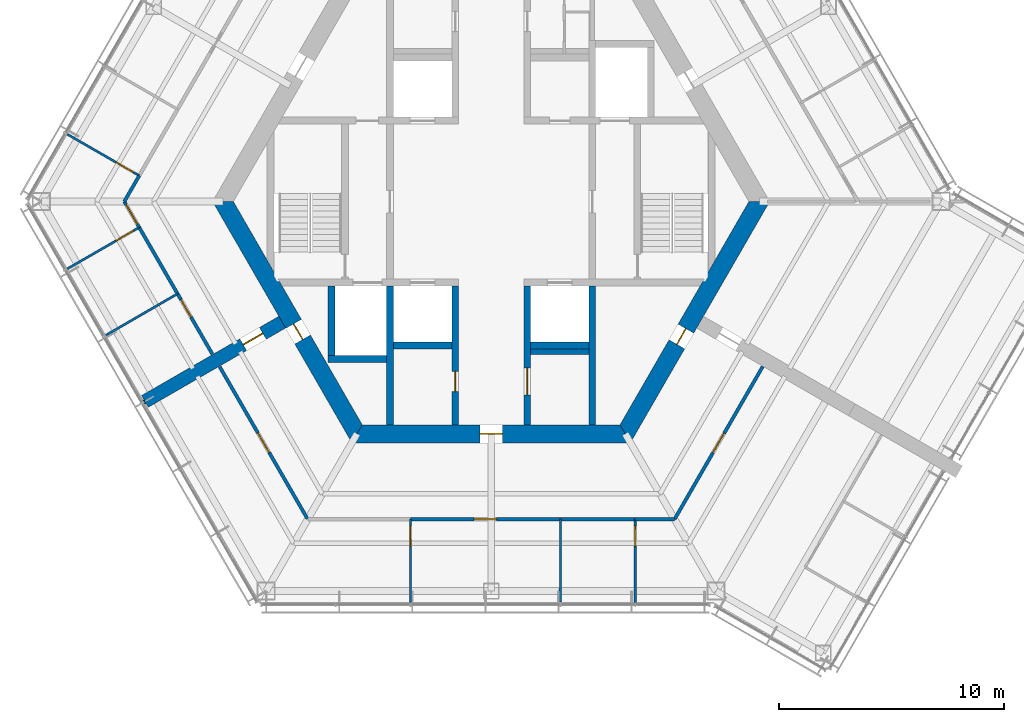
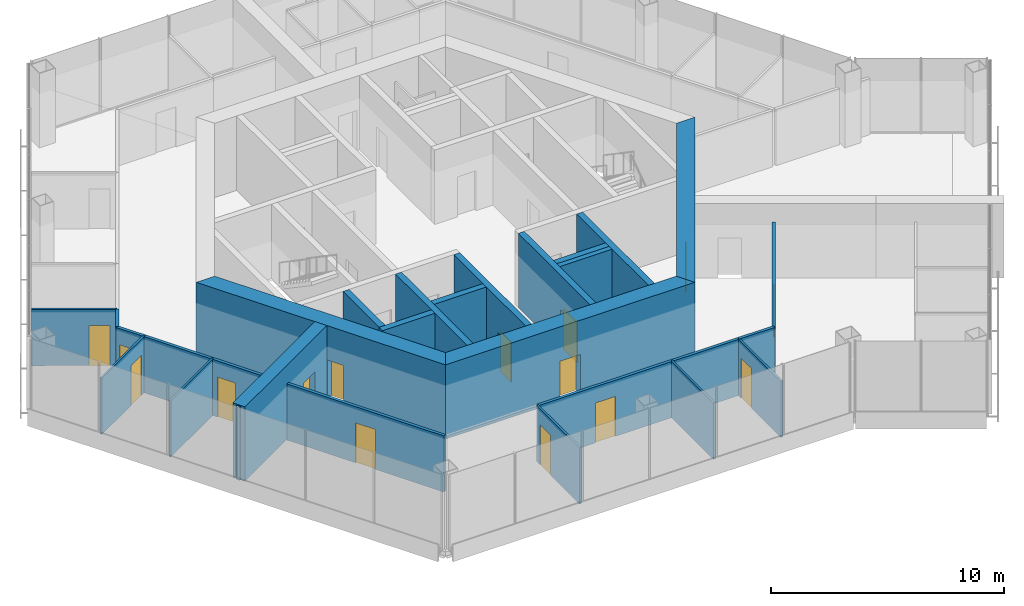
# One storey, part 7 of 13: 29 walls, 15 doors, 15 openings.
"""IFC4 building model written with IfcOpenShell, lengths in metres."""

import ifcopenshell
import ifcopenshell.guid

model = None  # the IFC model being written
_history = None  # IfcOwnerHistory: only IFC2X3 demands one
_inside = {}  # id of a spatial element -> (the spatial element, [elements in it])
_under = {}  # id of a project, library or spatial element -> (it, [spatial elements below it])
_declared = {}  # id of a project -> (the project, [libraries it declares])
_typed = {}  # id of a type object -> (the type object, [elements of that type])
_made_of = {}  # id of a material, layer set ... -> (it, [elements and type objects made of it])


def new_model(schema):
    """Start an empty IFC model of exactly this schema.

    Asked for "IFC4X3", IfcOpenShell would pick the latest addendum, in which some entities
    have other attributes; the version numbers below select the first issue.
    IFC2X3 requires an IfcOwnerHistory on every rooted entity: one is made here for all.
    """
    global model, _history
    if schema == "IFC4X3":
        model = ifcopenshell.file(schema_version=(4, 3, 0, 0))
    else:
        model = ifcopenshell.file(schema=schema)
    _inside.clear()
    _under.clear()
    _declared.clear()
    _typed.clear()
    _made_of.clear()
    _history = None
    if model.schema == "IFC2X3":
        org = make("IfcOrganization", Name="unknown")
        user = make(
            "IfcPersonAndOrganization",
            ThePerson=make("IfcPerson", FamilyName="unknown"),
            TheOrganization=org,
        )
        app = make(
            "IfcApplication",
            ApplicationDeveloper=org,
            Version="unknown",
            ApplicationFullName="unknown",
            ApplicationIdentifier="unknown",
        )
        _history = make(
            "IfcOwnerHistory",
            OwningUser=user,
            OwningApplication=app,
            ChangeAction="ADDED",
            CreationDate=0,
        )
    return model


def make(cls, **values):
    """One entity of the class cls with the attributes given. An attribute that is None is left unset."""
    return model.create_entity(
        cls, **{name: value for name, value in values.items() if value is not None}
    )


def rooted(cls, **values):
    """An entity with a GlobalId (a new one), such as an element, a storey or a relation."""
    return make(cls, GlobalId=ifcopenshell.guid.new(), OwnerHistory=_history, **values)


def si_unit(unit_type, name, prefix=None):
    """IfcSIUnit, for example si_unit("LENGTHUNIT", "METRE", prefix="MILLI")."""
    return make("IfcSIUnit", UnitType=unit_type, Prefix=prefix, Name=name)


def assignment(units):
    """IfcUnitAssignment: the units of a project."""
    return None if units is None else make("IfcUnitAssignment", Units=units)


def point(xyz):
    """IfcCartesianPoint."""
    return None if xyz is None else make("IfcCartesianPoint", Coordinates=xyz)


def direction(xyz):
    """IfcDirection."""
    return None if xyz is None else make("IfcDirection", DirectionRatios=xyz)


def frame(location, z_axis=None, x_axis=None):
    """IfcAxis2Placement3D, a coordinate frame: its origin and axes. An axis left out is left unset."""
    return make(
        "IfcAxis2Placement3D",
        Location=point(location),
        Axis=direction(z_axis),
        RefDirection=direction(x_axis),
    )


def frame_2d(location, x_axis=None):
    """IfcAxis2Placement2D, a coordinate frame in the plane: its origin and x axis."""
    return make(
        "IfcAxis2Placement2D", Location=point(location), RefDirection=direction(x_axis)
    )


def origin():
    """The frame at (0, 0, 0) with its axes left unset."""
    return frame((0.0, 0.0, 0.0))


def place(relative_to, where):
    """IfcLocalPlacement: puts the frame where relative to a parent placement (None: the world)."""
    return make(
        "IfcLocalPlacement", PlacementRelTo=relative_to, RelativePlacement=where
    )


def context(
    kind, dimensions, precision=None, world=None, true_north=None, identifier=None
):
    """IfcGeometricRepresentationContext, for example the 3D "Model" context."""
    return make(
        "IfcGeometricRepresentationContext",
        ContextIdentifier=identifier,
        ContextType=kind,
        CoordinateSpaceDimension=dimensions,
        Precision=precision,
        WorldCoordinateSystem=world,
        TrueNorth=true_north,
    )


def subcontext(parent, identifier, kind, view, scale=None):
    """IfcGeometricRepresentationSubContext, for example "Body" below "Model"."""
    return make(
        "IfcGeometricRepresentationSubContext",
        ContextIdentifier=identifier,
        ContextType=kind,
        ParentContext=parent,
        TargetScale=scale,
        TargetView=view,
    )


def project(units=None, contexts=None):
    """IfcProject with its units and contexts."""
    return rooted(
        "IfcProject",
        Name="project",
        RepresentationContexts=contexts,
        UnitsInContext=assignment(units),
    )


def spatial(cls, under=None, at=None, **own):
    """A site, building, storey or space (cls), placed at a placement, below another one or the project."""
    s = rooted(cls, ObjectPlacement=at, **own)
    if under is not None:
        _under.setdefault(under.id(), (under, []))[1].append(s)
    return s


def polyline(points):
    """IfcPolyline through the points."""
    return make("IfcPolyline", Points=[point(p) for p in points])


def profile(cls, at=None, kind="AREA", **sizes):
    """A parametric profile (cls). Its sizes go by their IFC names, for example OverallWidth=200.0."""
    return make(cls, ProfileType=kind, Position=at, **sizes)


def rectangle(**sizes):
    """IfcRectangleProfileDef."""
    return profile("IfcRectangleProfileDef", **sizes)


def outline(outer, holes=None, kind="AREA"):
    """IfcArbitraryClosedProfileDef: a profile drawn as a closed curve; with holes, ...WithVoids."""
    if holes is None:
        return make("IfcArbitraryClosedProfileDef", ProfileType=kind, OuterCurve=outer)
    return make(
        "IfcArbitraryProfileDefWithVoids",
        ProfileType=kind,
        OuterCurve=outer,
        InnerCurves=holes,
    )


def extrude(swept, where, along, depth):
    """IfcExtrudedAreaSolid: the profile swept, set in the frame where, extruded along a direction by depth."""
    return make(
        "IfcExtrudedAreaSolid",
        SweptArea=swept,
        Position=where,
        ExtrudedDirection=direction(along),
        Depth=depth,
    )


def shape(context_of_items, identifier, shape_type, items):
    """IfcShapeRepresentation: the items that make up one representation, for example the "Body"."""
    return make(
        "IfcShapeRepresentation",
        ContextOfItems=context_of_items,
        RepresentationIdentifier=identifier,
        RepresentationType=shape_type,
        Items=items,
    )


def material(Name=None, Category=None):
    """IfcMaterial."""
    return make("IfcMaterial", Name=Name, Category=Category)


def layer(
    of_material, thickness, ventilated=None, Name=None, Category=None, Priority=None
):
    """IfcMaterialLayer: one layer of a wall or slab, of a material (None: an air gap)."""
    return make(
        "IfcMaterialLayer",
        Material=of_material,
        LayerThickness=thickness,
        IsVentilated=ventilated,
        Name=Name,
        Category=Category,
        Priority=Priority,
    )


def layer_set(layers, Name=None):
    """IfcMaterialLayerSet."""
    return make("IfcMaterialLayerSet", MaterialLayers=layers, LayerSetName=Name)


def made_of(thing, what):
    """Note that an element or type object is made of a material, layer set ...; save() writes the relation."""
    if what is not None:
        _made_of.setdefault(what.id(), (what, []))[1].append(thing)
    return thing


def type_object(cls, material=None, **own):
    """A type object (cls), such as IfcWallType, which elements share."""
    return made_of(rooted(cls, **own), material)


def element(
    cls,
    number,
    at=None,
    inside=None,
    cuts=None,
    type_object=None,
    material=None,
    context=None,
    identifier="Body",
    shape_type=None,
    held_by="IfcProductDefinitionShape",
    body=None,
    shapes=None,
    **own,
):
    """One element of the class cls, such as IfcWall. Its Tag is "e" and its number.

    at: its placement. inside: the storey or other place that contains it. cuts: it is an
    opening in that element (IfcRelVoidsElement). A single representation is given by context,
    identifier, shape_type and body (its items); several are given by shapes. held_by: the class
    of the entity that holds the representations. save() writes the other relations.
    """
    e = rooted(cls, Tag="e%d" % number, ObjectPlacement=at, **own)
    if body is not None:
        shapes = [shape(context, identifier, shape_type, body)]
    if shapes is not None:
        e.Representation = make(held_by, Representations=shapes)
    if inside is not None:
        _inside.setdefault(inside.id(), (inside, []))[1].append(e)
    if cuts is not None:
        rooted(
            "IfcRelVoidsElement", RelatingBuildingElement=cuts, RelatedOpeningElement=e
        )
    if type_object is not None:
        _typed.setdefault(type_object.id(), (type_object, []))[1].append(e)
    return made_of(e, material)


def fill(opening, filler):
    """IfcRelFillsElement: the door or window that sits in an opening."""
    return rooted(
        "IfcRelFillsElement",
        RelatingOpeningElement=opening,
        RelatedBuildingElement=filler,
    )


def aggregate(whole, parts):
    """IfcRelAggregates: a whole, such as a stair, and the parts it consists of."""
    return rooted("IfcRelAggregates", RelatingObject=whole, RelatedObjects=parts)


def save(model, path):
    """Write the relations noted so far, then the file.

    IfcRelAggregates (storeys below a building ...), IfcRelContainedInSpatialStructure (elements
    in a storey), IfcRelDefinesByType, IfcRelAssociatesMaterial and IfcRelDeclares: one each for
    every whole, place, type object, material and project.
    """
    for whole, parts in _under.values():
        aggregate(whole, parts)
    for where, things in _inside.values():
        rooted(
            "IfcRelContainedInSpatialStructure",
            RelatedElements=things,
            RelatingStructure=where,
        )
    for kind, things in _typed.values():
        rooted("IfcRelDefinesByType", RelatedObjects=things, RelatingType=kind)
    for what, things in _made_of.values():
        rooted("IfcRelAssociatesMaterial", RelatedObjects=things, RelatingMaterial=what)
    for by, libraries in _declared.values():
        rooted("IfcRelDeclares", RelatingContext=by, RelatedDefinitions=libraries)
    model.write(path)


model = new_model("IFC4")

# Units and contexts
model_context = context("Model", 3, precision=1e-05, world=origin(), true_north=direction((0.0, 1.0)))
body_context = subcontext(model_context, "Body", "Model", "MODEL_VIEW")
ifc_project = project(units=[si_unit("LENGTHUNIT", "METRE"), si_unit("AREAUNIT", "SQUARE_METRE"), si_unit("VOLUMEUNIT", "CUBIC_METRE"), si_unit("PLANEANGLEUNIT", "RADIAN"), si_unit("MASSUNIT", "GRAM", prefix="KILO")], contexts=[model_context])

# Site, building, storey
site_placement = place(None, origin())
site = spatial("IfcSite", under=ifc_project, at=site_placement, CompositionType="ELEMENT")
building_placement = place(site_placement, origin())
building = spatial("IfcBuilding", under=site, at=building_placement, Name="Kasaneha Research Tower", CompositionType="ELEMENT")
storey_placement = place(building_placement, frame((0.0, 0.0, 290.800048828125)))
storey = spatial("IfcBuildingStorey", under=building, at=storey_placement, Name="L73", CompositionType="ELEMENT", Elevation=290.800048828125)

# Wall, opening, door
ifc_material_1 = material(Name="Concrete Fc60", Category="concrete")
ifc_layer_1 = layer(ifc_material_1, 0.300048828125)
ifc_layer_set_1 = layer_set([ifc_layer_1], Name="Core internal wall 300 Fc60")
wall_type_1 = type_object("IfcWallType", Name="Core internal wall 300 Fc60", PredefinedType="SHEAR", material=ifc_layer_set_1)
wall_1_placement = place(storey_placement, frame((-1.60009765625, -3.75, 0.0), z_axis=(0.0, 0.0, 1.0), x_axis=(0.0, -1.0, 0.0)))
wall_1 = element("IfcWall", 1, at=wall_1_placement, inside=storey, type_object=wall_type_1, Name="Core wall CSW L73", PredefinedType="SHEAR", context=body_context, shape_type="SweptSolid", body=[
    extrude(rectangle(XDim=6.175048828125, YDim=0.300048828125, at=frame_2d((3.08740234375, 0.0))), origin(), (0.0, 0.0, 1.0), 3.89990234375),
])
opening_1_placement = place(wall_1_placement, frame((3.800048828125, 0.0, 0.0)))
opening_1 = element("IfcOpeningElement", 2, at=opening_1_placement, cuts=wall_1, Name="Opening L73-D16", PredefinedType="OPENING", context=body_context, shape_type="SweptSolid", body=[
    extrude(rectangle(XDim=0.89990234375, YDim=2.10009765625, at=frame_2d((0.449951171875, 1.050048828125))), frame((0.0, 0.16015625, 0.0), z_axis=(0.0, -1.0, 0.0), x_axis=(1.0, 0.0, 0.0)), (0.0, 0.0, 1.0), 0.320068359375),
])
ifc_material_2 = material(Name="Steel", Category="steel")
door_type_1 = type_object("IfcDoorType", Name="Riser access door FD60 900x2100", OperationType="NOTDEFINED", PredefinedType="DOOR", material=ifc_material_2)
door_1_placement = place(opening_1_placement, origin())
door_1 = element("IfcDoor", 3, at=door_1_placement, inside=storey, type_object=door_type_1, Name="Electrical riser door L73-D16", OperationType="SINGLE_SWING_LEFT", OverallHeight=2.10009765625, OverallWidth=0.89990234375, PredefinedType="DOOR", context=body_context, shape_type="SweptSolid", body=[
    extrude(rectangle(XDim=0.89990234375, YDim=2.10009765625, at=frame_2d((0.449951171875, 1.050048828125))), frame((0.0, 0.02490234375, 0.0), z_axis=(0.0, -1.0, 0.0), x_axis=(1.0, 0.0, 0.0)), (0.0, 0.0, 1.0), 0.050048828125),
])
fill(opening_1, door_1)

wall_2_placement = place(storey_placement, frame((1.60009765625, -3.75, 0.0), z_axis=(0.0, 0.0, 1.0), x_axis=(0.0, -1.0, 0.0)))
wall_2 = element("IfcWall", 4, at=wall_2_placement, inside=storey, type_object=wall_type_1, Name="Core wall CSE L73", PredefinedType="SHEAR", context=body_context, shape_type="SweptSolid", body=[
    extrude(rectangle(XDim=6.175048828125, YDim=0.300048828125, at=frame_2d((3.08740234375, 0.0))), origin(), (0.0, 0.0, 1.0), 3.89990234375),
])
opening_2_placement = place(wall_2_placement, frame((3.64990234375, 0.0, 0.0)))
opening_2 = element("IfcOpeningElement", 5, at=opening_2_placement, cuts=wall_2, Name="Opening L73-D15", PredefinedType="OPENING", context=body_context, shape_type="SweptSolid", body=[
    extrude(rectangle(XDim=1.199951171875, YDim=2.10009765625, at=frame_2d((0.60009765625, 1.050048828125))), frame((0.0, 0.16015625, 0.0), z_axis=(0.0, -1.0, 0.0), x_axis=(1.0, 0.0, 0.0)), (0.0, 0.0, 1.0), 0.320068359375),
])
ifc_material_3 = material(Name="Steel", Category="steel")
door_type_2 = type_object("IfcDoorType", Name="Accessible toilet sliding door FD20 1200x2100", OperationType="SLIDING_TO_LEFT", PredefinedType="DOOR", material=ifc_material_3)
door_2_placement = place(opening_2_placement, origin())
door_2 = element("IfcDoor", 6, at=door_2_placement, inside=storey, type_object=door_type_2, Name="Accessible WC door L73-D15", OperationType="SLIDING_TO_LEFT", OverallHeight=2.10009765625, OverallWidth=1.199951171875, PredefinedType="DOOR", context=body_context, shape_type="SweptSolid", body=[
    extrude(rectangle(XDim=1.199951171875, YDim=2.10009765625, at=frame_2d((0.60009765625, 1.050048828125))), frame((0.0, 0.02490234375, 0.0), z_axis=(0.0, -1.0, 0.0), x_axis=(1.0, 0.0, 0.0)), (0.0, 0.0, 1.0), 0.050048828125),
])
fill(opening_2, door_2)

# Walls
for number, where, z_axis, x_axis, name in (
    (7, (-4.5, -3.75, 0.0), (0.0, 0.0, 1.0), (0.0, -1.0, 0.0), "Core wall SSW L73"),
    (8, (4.5, -3.75, 0.0), (0.0, 0.0, 1.0), (0.0, -1.0, 0.0), "Core wall SSE L73"),
):
    element("IfcWall", number, at=place(storey_placement, frame(where, z_axis=z_axis, x_axis=x_axis)), inside=storey, type_object=wall_type_1, Name=name, PredefinedType="SHEAR", context=body_context, shape_type="SweptSolid", body=[
        extrude(rectangle(XDim=6.175048828125, YDim=0.300048828125, at=frame_2d((3.08740234375, 0.0))), origin(), (0.0, 0.0, 1.0), 3.89990234375),
    ])
for number, where, z_axis, x_axis, name in (
    (9, (-4.35009765625, -6.39990234375, 0.0), (0.0, 0.0, 1.0), (1.0, 0.0, 0.0), "Core wall S1S L73"),
    (10, (1.75, -6.39990234375, 0.0), (0.0, 0.0, 1.0), (1.0, 0.0, 0.0), "Core wall S3S L73"),
    (11, (-7.25, -7.0, 0.0), (0.0, 0.0, 1.0), (1.0, 0.0, 0.0), "Core wall F2S L73"),
):
    element("IfcWall", number, at=place(storey_placement, frame(where, z_axis=z_axis, x_axis=x_axis)), inside=storey, type_object=wall_type_1, Name=name, PredefinedType="SHEAR", context=body_context, shape_type="SweptSolid", body=[
        extrude(rectangle(XDim=2.60009765625, YDim=0.300048828125, at=frame_2d((1.300048828125, 0.0))), origin(), (0.0, 0.0, 1.0), 3.89990234375),
    ])
wall_3_placement = place(storey_placement, frame((-7.10009765625, -3.75, 0.0), z_axis=(0.0, 0.0, 1.0), x_axis=(0.0, -1.0, 0.0)))
element("IfcWall", 12, at=wall_3_placement, inside=storey, type_object=wall_type_1, Name="Core wall F2W L73", PredefinedType="SHEAR", context=body_context, shape_type="SweptSolid", body=[
    extrude(rectangle(XDim=3.10009765625, YDim=0.300048828125, at=frame_2d((1.550048828125, 0.0))), origin(), (0.0, 0.0, 1.0), 3.89990234375),
])

# Wall, opening, door
ifc_material_4 = material(Name="Concrete Fc60", Category="concrete")
ifc_layer_2 = layer(ifc_material_4, 0.800048828125)
ifc_layer_set_2 = layer_set([ifc_layer_2], Name="Core wall 800 Fc60")
wall_type_2 = type_object("IfcWallType", Name="Core wall 800 Fc60", PredefinedType="SHEAR", material=ifc_layer_set_2)
wall_4_placement = place(storey_placement, frame((-11.92236328125, 0.0, 0.0), z_axis=(0.0, 0.0, 1.0), x_axis=(0.500004296715, -0.866022923061, 0.0)))
wall_4 = element("IfcWall", 13, at=wall_4_placement, inside=storey, type_object=wall_type_2, Name="Core wall 210 L73", PredefinedType="SHEAR", context=body_context, shape_type="SweptSolid", body=[
    extrude(outline(polyline([(-0.23095703125, -0.39990234375), (6.28125, -0.39990234375), (7.081298828125, -0.39990234375), (12.1533203125, -0.39990234375), (11.69140625, 0.39990234375), (7.081298828125, 0.39990234375), (6.28125, 0.39990234375), (0.23095703125, 0.39990234375), (-0.23095703125, -0.39990234375)])), origin(), (0.0, 0.0, 1.0), 3.89990234375),
])
opening_3_placement = place(wall_4_placement, frame((6.28125, 0.0, 0.0)))
opening_3 = element("IfcOpeningElement", 14, at=opening_3_placement, cuts=wall_4, Name="Opening L73-D06", PredefinedType="OPENING", context=body_context, shape_type="SweptSolid", body=[
    extrude(rectangle(XDim=0.800048828125, YDim=2.10009765625, at=frame_2d((0.39990234375, 1.050048828125))), frame((0.0, 0.41015625, 0.0), z_axis=(0.0, -1.0, 0.0), x_axis=(1.0, 0.0, 0.0)), (0.0, 0.0, 1.0), 0.820068359375),
])
ifc_material_5 = material(Name="Steel", Category="steel")
door_type_3 = type_object("IfcDoorType", Name="Riser access door FD60 800x2100", OperationType="NOTDEFINED", PredefinedType="DOOR", material=ifc_material_5)
door_3_placement = place(opening_3_placement, origin())
door_3 = element("IfcDoor", 15, at=door_3_placement, inside=storey, type_object=door_type_3, Name="Duct riser door L73-D06", OperationType="SINGLE_SWING_RIGHT", OverallHeight=2.10009765625, OverallWidth=0.800048828125, PredefinedType="DOOR", context=body_context, shape_type="SweptSolid", body=[
    extrude(rectangle(XDim=0.800048828125, YDim=2.10009765625, at=frame_2d((0.39990234375, 1.050048828125))), frame((0.0, 0.02490234375, 0.0), z_axis=(0.0, -1.0, 0.0), x_axis=(1.0, 0.0, 0.0)), (0.0, 0.0, 1.0), 0.050048828125),
])
fill(opening_3, door_3)

wall_5_placement = place(storey_placement, frame((-5.961181640625, -10.324951171875, 0.0), z_axis=(0.0, 0.0, 1.0), x_axis=(1.0, 0.0, 0.0)))
wall_5 = element("IfcWall", 16, at=wall_5_placement, inside=storey, type_object=wall_type_2, Name="Core wall 270 L73", PredefinedType="SHEAR", context=body_context, shape_type="SweptSolid", body=[
    extrude(outline(polyline([(-0.23095703125, -0.39990234375), (5.461181640625, -0.39990234375), (6.461181640625, -0.39990234375), (12.1533203125, -0.39990234375), (11.69140625, 0.39990234375), (6.461181640625, 0.39990234375), (5.461181640625, 0.39990234375), (0.23095703125, 0.39990234375), (-0.23095703125, -0.39990234375)])), origin(), (0.0, 0.0, 1.0), 3.89990234375),
])
opening_4_placement = place(wall_5_placement, frame((5.461181640625, 0.0, 0.0)))
opening_4 = element("IfcOpeningElement", 17, at=opening_4_placement, cuts=wall_5, Name="Opening L73-D03", PredefinedType="OPENING", context=body_context, shape_type="SweptSolid", body=[
    extrude(rectangle(XDim=1.0, YDim=2.10009765625, at=frame_2d((0.5, 1.050048828125))), frame((0.0, 0.41015625, 0.0), z_axis=(0.0, -1.0, 0.0), x_axis=(1.0, 0.0, 0.0)), (0.0, 0.0, 1.0), 0.820068359375),
])
ifc_material_6 = material(Name="Steel", Category="steel")
door_type_4 = type_object("IfcDoorType", Name="Fire door FD20 1000x2100", OperationType="NOTDEFINED", PredefinedType="DOOR", material=ifc_material_6)
door_4_placement = place(opening_4_placement, origin())
door_4 = element("IfcDoor", 18, at=door_4_placement, inside=storey, type_object=door_type_4, Name="Core door south L73-D03", OperationType="SINGLE_SWING_LEFT", OverallHeight=2.10009765625, OverallWidth=1.0, PredefinedType="DOOR", context=body_context, shape_type="SweptSolid", body=[
    extrude(rectangle(XDim=1.0, YDim=2.10009765625, at=frame_2d((0.5, 1.050048828125))), frame((0.0, 0.02490234375, 0.0), z_axis=(0.0, -1.0, 0.0), x_axis=(1.0, 0.0, 0.0)), (0.0, 0.0, 1.0), 0.050048828125),
])
fill(opening_4, door_4)

wall_6_placement = place(storey_placement, frame((5.961181640625, -10.324951171875, 0.0), z_axis=(0.0, 0.0, 1.0), x_axis=(0.500004296715, 0.866022923061, 0.0)))
wall_6 = element("IfcWall", 19, at=wall_6_placement, inside=storey, type_object=wall_type_2, Name="Core wall 330 L73", PredefinedType="SHEAR", context=body_context, shape_type="SweptSolid", body=[
    extrude(outline(polyline([(-0.23095703125, -0.39990234375), (4.593994140625, -0.39990234375), (5.39404296875, -0.39990234375), (12.1533203125, -0.39990234375), (11.69140625, 0.39990234375), (5.39404296875, 0.39990234375), (4.593994140625, 0.39990234375), (0.23095703125, 0.39990234375), (-0.23095703125, -0.39990234375)])), origin(), (0.0, 0.0, 1.0), 3.89990234375),
])
opening_5_placement = place(wall_6_placement, frame((4.593994140625, 0.0, 0.0)))
opening_5 = element("IfcOpeningElement", 20, at=opening_5_placement, cuts=wall_6, Name="Opening L73-D05", PredefinedType="OPENING", context=body_context, shape_type="SweptSolid", body=[
    extrude(rectangle(XDim=0.800048828125, YDim=2.10009765625, at=frame_2d((0.39990234375, 1.050048828125))), frame((0.0, 0.41015625, 0.0), z_axis=(0.0, -1.0, 0.0), x_axis=(1.0, 0.0, 0.0)), (0.0, 0.0, 1.0), 0.820068359375),
])
door_5_placement = place(opening_5_placement, origin())
door_5 = element("IfcDoor", 21, at=door_5_placement, inside=storey, type_object=door_type_3, Name="Pipe riser door L73-D05", OperationType="SINGLE_SWING_LEFT", OverallHeight=2.10009765625, OverallWidth=0.800048828125, PredefinedType="DOOR", context=body_context, shape_type="SweptSolid", body=[
    extrude(rectangle(XDim=0.800048828125, YDim=2.10009765625, at=frame_2d((0.39990234375, 1.050048828125))), frame((0.0, 0.02490234375, 0.0), z_axis=(0.0, -1.0, 0.0), x_axis=(1.0, 0.0, 0.0)), (0.0, 0.0, 1.0), 0.050048828125),
])
fill(opening_5, door_5)

# Wall
ifc_material_7 = material(Name="Gypsum board on steel studs, one layer each side", Category="steel")
ifc_layer_3 = layer(ifc_material_7, 0.10009765625)
ifc_layer_set_3 = layer_set([ifc_layer_3], Name="Office partition 100")
wall_type_3 = type_object("IfcWallType", Name="Office partition 100", PredefinedType="PARTITIONING", material=ifc_layer_set_3)
wall_7_placement = place(storey_placement, frame((-13.94287109375, -4.100341796875, 0.0), z_axis=(0.0, 0.0, 1.0), x_axis=(-0.865338346589, -0.50118813426, 0.0)))
element("IfcWall", 22, at=wall_7_placement, inside=storey, type_object=wall_type_3, Name="Office partition FBN09 L73", PredefinedType="PARTITIONING", context=body_context, shape_type="SweptSolid", body=[
    extrude(rectangle(XDim=3.67529296875, YDim=0.10009765625, at=frame_2d((1.837646484375, 0.0))), origin(), (0.0, 0.0, 1.0), 2.949951171875),
])

# Wall, opening, door
wall_8_placement = place(storey_placement, frame((-18.83984375, -2.989501953125, 0.0), z_axis=(0.0, 0.0, 1.0), x_axis=(0.866640684195, 0.498932785551, 0.0)))
wall_8 = element("IfcWall", 23, at=wall_8_placement, inside=storey, type_object=wall_type_3, Name="Office partition FBN10 L73", PredefinedType="PARTITIONING", context=body_context, shape_type="SweptSolid", body=[
    extrude(rectangle(XDim=3.685546875, YDim=0.10009765625, at=frame_2d((1.8427734375, 0.0))), origin(), (0.0, 0.0, 1.0), 2.949951171875),
])
opening_6_placement = place(wall_8_placement, frame((2.485595703125, 0.0, 0.0)))
opening_6 = element("IfcOpeningElement", 24, at=opening_6_placement, cuts=wall_8, Name="Opening L73-D35", PredefinedType="OPENING", context=body_context, shape_type="SweptSolid", body=[
    extrude(rectangle(XDim=0.89990234375, YDim=2.10009765625, at=frame_2d((0.449951171875, 1.050048828125))), frame((0.0, 0.06005859375, 0.0), z_axis=(0.0, -1.0, 0.0), x_axis=(1.0, 0.0, 0.0)), (0.0, 0.0, 1.0), 0.1201171875),
])
ifc_material_8 = material(Name="Timber veneer", Category="wood")
door_type_5 = type_object("IfcDoorType", Name="Office door 900x2100", OperationType="SINGLE_SWING_LEFT", PredefinedType="DOOR", material=ifc_material_8)
door_6_placement = place(opening_6_placement, origin())
door_6 = element("IfcDoor", 25, at=door_6_placement, inside=storey, type_object=door_type_5, Name="Executive office door L73-D35", OperationType="SINGLE_SWING_RIGHT", OverallHeight=2.10009765625, OverallWidth=0.89990234375, PredefinedType="DOOR", context=body_context, shape_type="SweptSolid", body=[
    extrude(rectangle(XDim=0.89990234375, YDim=2.10009765625, at=frame_2d((0.449951171875, 1.050048828125))), frame((0.0, 0.02490234375, 0.0), z_axis=(0.0, -1.0, 0.0), x_axis=(1.0, 0.0, 0.0)), (0.0, 0.0, 1.0), 0.050048828125),
])
fill(opening_6, door_6)

wall_9_placement = place(storey_placement, frame((-15.645751953125, 1.150634765625, 0.0), z_axis=(0.0, 0.0, 1.0), x_axis=(-0.866640684195, 0.498932785551, 0.0)))
wall_9 = element("IfcWall", 26, at=wall_9_placement, inside=storey, type_object=wall_type_3, Name="Office partition FBN12 L73", PredefinedType="PARTITIONING", context=body_context, shape_type="SweptSolid", body=[
    extrude(rectangle(XDim=3.685546875, YDim=0.10009765625, at=frame_2d((1.8427734375, 0.0))), origin(), (0.0, 0.0, 1.0), 2.949951171875),
])
opening_7_placement = place(wall_9_placement, frame((0.300048828125, 0.0, 0.0)))
opening_7 = element("IfcOpeningElement", 27, at=opening_7_placement, cuts=wall_9, Name="Opening L73-D36", PredefinedType="OPENING", context=body_context, shape_type="SweptSolid", body=[
    extrude(rectangle(XDim=0.89990234375, YDim=2.10009765625, at=frame_2d((0.449951171875, 1.050048828125))), frame((0.0, 0.06005859375, 0.0), z_axis=(0.0, -1.0, 0.0), x_axis=(1.0, 0.0, 0.0)), (0.0, 0.0, 1.0), 0.1201171875),
])
door_7_placement = place(opening_7_placement, origin())
door_7 = element("IfcDoor", 28, at=door_7_placement, inside=storey, type_object=door_type_5, Name="Phone room door L73-D36", OperationType="SINGLE_SWING_LEFT", OverallHeight=2.10009765625, OverallWidth=0.89990234375, PredefinedType="DOOR", context=body_context, shape_type="SweptSolid", body=[
    extrude(rectangle(XDim=0.89990234375, YDim=2.10009765625, at=frame_2d((0.449951171875, 1.050048828125))), frame((0.0, 0.02490234375, 0.0), z_axis=(0.0, -1.0, 0.0), x_axis=(1.0, 0.0, 0.0)), (0.0, 0.0, 1.0), 0.050048828125),
])
fill(opening_7, door_7)

wall_10_placement = place(storey_placement, frame((6.40380859375, -14.125, 0.0), z_axis=(0.0, 0.0, 1.0), x_axis=(0.001250163518, -0.999999218545, 0.0)))
wall_10 = element("IfcWall", 29, at=wall_10_placement, inside=storey, type_object=wall_type_3, Name="Office partition FCS06 L73", PredefinedType="PARTITIONING", context=body_context, shape_type="SweptSolid", body=[
    extrude(rectangle(XDim=3.71044921875, YDim=0.10009765625, at=frame_2d((1.855224609375, 0.0))), origin(), (0.0, 0.0, 1.0), 2.949951171875),
])
opening_8_placement = place(wall_10_placement, frame((0.300048828125, 0.0, 0.0)))
opening_8 = element("IfcOpeningElement", 30, at=opening_8_placement, cuts=wall_10, Name="Opening L73-D40", PredefinedType="OPENING", context=body_context, shape_type="SweptSolid", body=[
    extrude(rectangle(XDim=0.89990234375, YDim=2.10009765625, at=frame_2d((0.449951171875, 1.050048828125))), frame((0.0, 0.06005859375, 0.0), z_axis=(0.0, -1.0, 0.0), x_axis=(1.0, 0.0, 0.0)), (0.0, 0.0, 1.0), 0.1201171875),
])
door_8_placement = place(opening_8_placement, origin())
door_8 = element("IfcDoor", 31, at=door_8_placement, inside=storey, type_object=door_type_5, Name="Reading room door L73-D40", OperationType="SINGLE_SWING_LEFT", OverallHeight=2.10009765625, OverallWidth=0.89990234375, PredefinedType="DOOR", context=body_context, shape_type="SweptSolid", body=[
    extrude(rectangle(XDim=0.89990234375, YDim=2.10009765625, at=frame_2d((0.449951171875, 1.050048828125))), frame((0.0, 0.02490234375, 0.0), z_axis=(0.0, -1.0, 0.0), x_axis=(1.0, 0.0, 0.0)), (0.0, 0.0, 1.0), 0.050048828125),
])
fill(opening_8, door_8)

# Wall
wall_11_placement = place(storey_placement, frame((3.077392578125, -17.800537109375, 0.0), z_axis=(0.0, 0.0, 1.0), x_axis=(0.00119561522, 0.999999285252, 0.0)))
element("IfcWall", 32, at=wall_11_placement, inside=storey, type_object=wall_type_3, Name="Office partition FCS07 L73", PredefinedType="PARTITIONING", context=body_context, shape_type="SweptSolid", body=[
    extrude(rectangle(XDim=3.675537109375, YDim=0.10009765625, at=frame_2d((1.837890625, 0.0))), origin(), (0.0, 0.0, 1.0), 2.949951171875),
])

# Wall, opening, door
wall_12_placement = place(storey_placement, frame((-3.589111328125, -14.125, 0.0), z_axis=(0.0, 0.0, 1.0), x_axis=(0.001250163518, -0.999999218545, 0.0)))
wall_12 = element("IfcWall", 33, at=wall_12_placement, inside=storey, type_object=wall_type_3, Name="Office partition FCS08 L73", PredefinedType="PARTITIONING", context=body_context, shape_type="SweptSolid", body=[
    extrude(rectangle(XDim=3.71044921875, YDim=0.10009765625, at=frame_2d((1.855224609375, 0.0))), origin(), (0.0, 0.0, 1.0), 2.949951171875),
])
opening_9_placement = place(wall_12_placement, frame((0.300048828125, 0.0, 0.0)))
opening_9 = element("IfcOpeningElement", 34, at=opening_9_placement, cuts=wall_12, Name="Opening L73-D41", PredefinedType="OPENING", context=body_context, shape_type="SweptSolid", body=[
    extrude(rectangle(XDim=0.89990234375, YDim=2.10009765625, at=frame_2d((0.449951171875, 1.050048828125))), frame((0.0, 0.06005859375, 0.0), z_axis=(0.0, -1.0, 0.0), x_axis=(1.0, 0.0, 0.0)), (0.0, 0.0, 1.0), 0.1201171875),
])
door_9_placement = place(opening_9_placement, origin())
door_9 = element("IfcDoor", 35, at=door_9_placement, inside=storey, type_object=door_type_5, Name="Project room door L73-D41", OperationType="SINGLE_SWING_LEFT", OverallHeight=2.10009765625, OverallWidth=0.89990234375, PredefinedType="DOOR", context=body_context, shape_type="SweptSolid", body=[
    extrude(rectangle(XDim=0.89990234375, YDim=2.10009765625, at=frame_2d((0.449951171875, 1.050048828125))), frame((0.0, 0.02490234375, 0.0), z_axis=(0.0, -1.0, 0.0), x_axis=(1.0, 0.0, 0.0)), (0.0, 0.0, 1.0), 0.050048828125),
])
fill(opening_9, door_9)

ifc_material_9 = material(Name="Concrete Fc60", Category="concrete")
ifc_layer_4 = layer(ifc_material_9, 0.60009765625)
ifc_layer_set_4 = layer_set([ifc_layer_4], Name="Spine wall 600 Fc60")
wall_type_4 = type_object("IfcWallType", Name="Spine wall 600 Fc60", PredefinedType="SHEAR", material=ifc_layer_set_4)
wall_13_placement = place(storey_placement, frame((-9.2880859375, -5.362548828125, 0.0), z_axis=(0.0, 0.0, 1.0), x_axis=(-0.866027473358, -0.499996415376, 0.0)))
wall_13 = element("IfcWall", 36, at=wall_13_placement, inside=storey, type_object=wall_type_4, Name="Spine wall B L73", PredefinedType="SHEAR", context=body_context, shape_type="SweptSolid", body=[
    extrude(rectangle(XDim=7.04541015625, YDim=0.60009765625, at=frame_2d((3.522705078125, 0.0))), origin(), (0.0, 0.0, 1.0), 3.89990234375),
])
opening_10_placement = place(wall_13_placement, frame((1.0, 0.0, 0.0)))
opening_10 = element("IfcOpeningElement", 37, at=opening_10_placement, cuts=wall_13, Name="Opening L73-D19", PredefinedType="OPENING", context=body_context, shape_type="SweptSolid", body=[
    extrude(rectangle(XDim=1.0, YDim=2.10009765625, at=frame_2d((0.5, 1.050048828125))), frame((0.0, 0.31005859375, 0.0), z_axis=(0.0, -1.0, 0.0), x_axis=(1.0, 0.0, 0.0)), (0.0, 0.0, 1.0), 0.6201171875),
])
ifc_material_10 = material(Name="Steel", Category="steel")
door_type_6 = type_object("IfcDoorType", Name="Specified fire door FD60 1000x2100", OperationType="NOTDEFINED", PredefinedType="DOOR", material=ifc_material_10)
door_10_placement = place(opening_10_placement, origin())
door_10 = element("IfcDoor", 38, at=door_10_placement, inside=storey, type_object=door_type_6, Name="Spine doorway B L73-D19", OperationType="SINGLE_SWING_LEFT", OverallHeight=2.10009765625, OverallWidth=1.0, PredefinedType="DOOR", context=body_context, shape_type="SweptSolid", body=[
    extrude(rectangle(XDim=1.0, YDim=2.10009765625, at=frame_2d((0.5, 1.050048828125))), frame((0.0, 0.02490234375, 0.0), z_axis=(0.0, -1.0, 0.0), x_axis=(1.0, 0.0, 0.0)), (0.0, 0.0, 1.0), 0.050048828125),
])
fill(opening_10, door_10)

# Wall
ifc_material_11 = material(Name="Gypsum board on steel studs, two layers each side", Category="steel")
ifc_layer_5 = layer(ifc_material_11, 0.14990234375)
ifc_layer_set_5 = layer_set([ifc_layer_5], Name="Suite partition 150")
wall_type_5 = type_object("IfcWallType", Name="Suite partition 150", PredefinedType="PARTITIONING", material=ifc_layer_set_5)
wall_14_placement = place(storey_placement, frame((-13.937744140625, -4.10888671875, 0.0), z_axis=(0.0, 0.0, 1.0), x_axis=(-0.500032973541, 0.866006365664, 0.0)))
element("IfcWall", 39, at=wall_14_placement, inside=storey, type_object=wall_type_5, Name="Suite partition FBN02 L73", PredefinedType="PARTITIONING", context=body_context, shape_type="SweptSolid", body=[
    extrude(rectangle(XDim=3.425537109375, YDim=0.14990234375, at=frame_2d((1.712890625, 0.0))), origin(), (0.0, 0.0, 1.0), 2.949951171875),
])

# Wall, opening, door
wall_15_placement = place(storey_placement, frame((-12.392578125, -6.785400390625, 0.0), z_axis=(0.0, 0.0, 1.0), x_axis=(-0.500017819788, 0.86601511528, 0.0)))
wall_15 = element("IfcWall", 40, at=wall_15_placement, inside=storey, type_object=wall_type_5, Name="Suite partition FBN03 L73", PredefinedType="PARTITIONING", context=body_context, shape_type="SweptSolid", body=[
    extrude(rectangle(XDim=3.1005859375, YDim=0.14990234375, at=frame_2d((1.55029296875, 0.0))), origin(), (0.0, 0.0, 1.0), 2.949951171875),
])
opening_11_placement = place(wall_15_placement, frame((1.900390625, 0.0, 0.0)))
opening_11 = element("IfcOpeningElement", 41, at=opening_11_placement, cuts=wall_15, Name="Opening L73-D31", PredefinedType="OPENING", context=body_context, shape_type="SweptSolid", body=[
    extrude(rectangle(XDim=0.89990234375, YDim=2.10009765625, at=frame_2d((0.449951171875, 1.050048828125))), frame((0.0, 0.0849609375, 0.0), z_axis=(0.0, -1.0, 0.0), x_axis=(1.0, 0.0, 0.0)), (0.0, 0.0, 1.0), 0.169921875),
])
door_11_placement = place(opening_11_placement, origin())
door_11 = element("IfcDoor", 42, at=door_11_placement, inside=storey, type_object=door_type_5, Name="Executive office door L73-D31", OperationType="SINGLE_SWING_RIGHT", OverallHeight=2.10009765625, OverallWidth=0.89990234375, PredefinedType="DOOR", context=body_context, shape_type="SweptSolid", body=[
    extrude(rectangle(XDim=0.89990234375, YDim=2.10009765625, at=frame_2d((0.449951171875, 1.050048828125))), frame((0.0, 0.02490234375, 0.0), z_axis=(0.0, -1.0, 0.0), x_axis=(1.0, 0.0, 0.0)), (0.0, 0.0, 1.0), 0.050048828125),
])
fill(opening_11, door_11)

# Wall
wall_16_placement = place(storey_placement, frame((-16.31005859375, 0.0, 0.0), z_axis=(0.0, 0.0, 1.0), x_axis=(0.49999285859, 0.86602952684, 0.0)))
element("IfcWall", 43, at=wall_16_placement, inside=storey, type_object=wall_type_5, Name="Suite partition FBN06 L73", PredefinedType="PARTITIONING", context=body_context, shape_type="SweptSolid", body=[
    extrude(rectangle(XDim=1.32861328125, YDim=0.14990234375, at=frame_2d((0.664306640625, 0.0))), origin(), (0.0, 0.0, 1.0), 2.949951171875),
])

# Wall, opening, door
wall_17_placement = place(storey_placement, frame((-15.645751953125, -1.150634765625, 0.0), z_axis=(0.0, 0.0, 1.0), x_axis=(-0.49999285859, 0.86602952684, 0.0)))
wall_17 = element("IfcWall", 44, at=wall_17_placement, inside=storey, type_object=wall_type_5, Name="Suite partition FBN07 L73", PredefinedType="PARTITIONING", context=body_context, shape_type="SweptSolid", body=[
    extrude(rectangle(XDim=1.32861328125, YDim=0.14990234375, at=frame_2d((0.664306640625, 0.0))), origin(), (0.0, 0.0, 1.0), 2.949951171875),
])
opening_12_placement = place(wall_17_placement, frame((0.164306640625, 0.0, 0.0)))
opening_12 = element("IfcOpeningElement", 45, at=opening_12_placement, cuts=wall_17, Name="Opening L73-D33", PredefinedType="OPENING", context=body_context, shape_type="SweptSolid", body=[
    extrude(rectangle(XDim=1.0, YDim=2.10009765625, at=frame_2d((0.5, 1.050048828125))), frame((0.0, 0.0849609375, 0.0), z_axis=(0.0, -1.0, 0.0), x_axis=(1.0, 0.0, 0.0)), (0.0, 0.0, 1.0), 0.169921875),
])
ifc_material_12 = material(Name="Steel", Category="steel")
door_type_7 = type_object("IfcDoorType", Name="Suite entrance door FD60 1000x2100", OperationType="NOTDEFINED", PredefinedType="DOOR", material=ifc_material_12)
door_12_placement = place(opening_12_placement, origin())
door_12 = element("IfcDoor", 46, at=door_12_placement, inside=storey, type_object=door_type_7, Name="Suite entrance door L73-D33", OperationType="SINGLE_SWING_LEFT", OverallHeight=2.10009765625, OverallWidth=1.0, PredefinedType="DOOR", context=body_context, shape_type="SweptSolid", body=[
    extrude(rectangle(XDim=1.0, YDim=2.10009765625, at=frame_2d((0.5, 1.050048828125))), frame((0.0, 0.02490234375, 0.0), z_axis=(0.0, -1.0, 0.0), x_axis=(1.0, 0.0, 0.0)), (0.0, 0.0, 1.0), 0.050048828125),
])
fill(opening_12, door_12)

wall_18_placement = place(storey_placement, frame((-8.16650390625, -14.10498046875, 0.0), z_axis=(0.0, 0.0, 1.0), x_axis=(-0.500001094379, 0.866024771944, 0.0)))
wall_18 = element("IfcWall", 47, at=wall_18_placement, inside=storey, type_object=wall_type_5, Name="Suite partition FBS01 L73", PredefinedType="PARTITIONING", context=body_context, shape_type="SweptSolid", body=[
    extrude(rectangle(XDim=7.81201171875, YDim=0.14990234375, at=frame_2d((3.906005859375, 0.0))), origin(), (0.0, 0.0, 1.0), 2.949951171875),
])
opening_13_placement = place(wall_18_placement, frame((3.406005859375, 0.0, 0.0)))
opening_13 = element("IfcOpeningElement", 48, at=opening_13_placement, cuts=wall_18, Name="Opening L73-D37", PredefinedType="OPENING", context=body_context, shape_type="SweptSolid", body=[
    extrude(rectangle(XDim=1.0, YDim=2.10009765625, at=frame_2d((0.5, 1.050048828125))), frame((0.0, 0.0849609375, 0.0), z_axis=(0.0, -1.0, 0.0), x_axis=(1.0, 0.0, 0.0)), (0.0, 0.0, 1.0), 0.169921875),
])
door_13_placement = place(opening_13_placement, origin())
door_13 = element("IfcDoor", 49, at=door_13_placement, inside=storey, type_object=door_type_7, Name="Suite entrance door L73-D37", OperationType="SINGLE_SWING_LEFT", OverallHeight=2.10009765625, OverallWidth=1.0, PredefinedType="DOOR", context=body_context, shape_type="SweptSolid", body=[
    extrude(rectangle(XDim=1.0, YDim=2.10009765625, at=frame_2d((0.5, 1.050048828125))), frame((0.0, 0.02490234375, 0.0), z_axis=(0.0, -1.0, 0.0), x_axis=(1.0, 0.0, 0.0)), (0.0, 0.0, 1.0), 0.050048828125),
])
fill(opening_13, door_13)

# Walls
wall_19_placement = place(storey_placement, frame((6.413330078125, -14.125, 0.0), z_axis=(0.0, 0.0, 1.0), x_axis=(-1.0, 0.0, 0.0)))
element("IfcWall", 50, at=wall_19_placement, inside=storey, type_object=wall_type_5, Name="Suite partition FCS01 L73", PredefinedType="PARTITIONING", context=body_context, shape_type="SweptSolid", body=[
    extrude(rectangle(XDim=3.3408203125, YDim=0.14990234375, at=frame_2d((1.67041015625, 0.0))), origin(), (0.0, 0.0, 1.0), 2.949951171875),
])
wall_20_placement = place(storey_placement, frame((8.155029296875, -14.125, 0.0), z_axis=(0.0, 0.0, 1.0), x_axis=(-1.0, 0.0, 0.0)))
element("IfcWall", 51, at=wall_20_placement, inside=storey, type_object=wall_type_5, Name="Suite partition FCS03 L73", PredefinedType="PARTITIONING", context=body_context, shape_type="SweptSolid", body=[
    extrude(rectangle(XDim=1.751220703125, YDim=0.14990234375, at=frame_2d((0.87548828125, 0.0))), origin(), (0.0, 0.0, 1.0), 2.949951171875),
])

# Wall, opening, door
wall_21_placement = place(storey_placement, frame((12.072509765625, -7.339599609375, 0.0), z_axis=(0.0, 0.0, 1.0), x_axis=(-0.49999308173, -0.866029398013, 0.0)))
wall_21 = element("IfcWall", 52, at=wall_21_placement, inside=storey, type_object=wall_type_5, Name="Suite partition FCS04 L73", PredefinedType="PARTITIONING", context=body_context, shape_type="SweptSolid", body=[
    extrude(rectangle(XDim=7.8349609375, YDim=0.14990234375, at=frame_2d((3.91748046875, 0.0))), origin(), (0.0, 0.0, 1.0), 2.949951171875),
])
opening_14_placement = place(wall_21_placement, frame((3.41748046875, 0.0, 0.0)))
opening_14 = element("IfcOpeningElement", 53, at=opening_14_placement, cuts=wall_21, Name="Opening L73-D38", PredefinedType="OPENING", context=body_context, shape_type="SweptSolid", body=[
    extrude(rectangle(XDim=1.0, YDim=2.10009765625, at=frame_2d((0.5, 1.050048828125))), frame((0.0, 0.0849609375, 0.0), z_axis=(0.0, -1.0, 0.0), x_axis=(1.0, 0.0, 0.0)), (0.0, 0.0, 1.0), 0.169921875),
])
door_14_placement = place(opening_14_placement, origin())
door_14 = element("IfcDoor", 54, at=door_14_placement, inside=storey, type_object=door_type_7, Name="Suite entrance door L73-D38", OperationType="SINGLE_SWING_RIGHT", OverallHeight=2.10009765625, OverallWidth=1.0, PredefinedType="DOOR", context=body_context, shape_type="SweptSolid", body=[
    extrude(rectangle(XDim=1.0, YDim=2.10009765625, at=frame_2d((0.5, 1.050048828125))), frame((0.0, 0.02490234375, 0.0), z_axis=(0.0, -1.0, 0.0), x_axis=(1.0, 0.0, 0.0)), (0.0, 0.0, 1.0), 0.050048828125),
])
fill(opening_14, door_14)

wall_22_placement = place(storey_placement, frame((3.081787109375, -14.125, 0.0), z_axis=(0.0, 0.0, 1.0), x_axis=(-1.0, 0.0, 0.0)))
wall_22 = element("IfcWall", 55, at=wall_22_placement, inside=storey, type_object=wall_type_5, Name="Suite partition FCS05 L73", PredefinedType="PARTITIONING", context=body_context, shape_type="SweptSolid", body=[
    extrude(rectangle(XDim=6.6708984375, YDim=0.14990234375, at=frame_2d((3.33544921875, 0.0))), origin(), (0.0, 0.0, 1.0), 2.949951171875),
])
opening_15_placement = place(wall_22_placement, frame((2.83544921875, 0.0, 0.0)))
opening_15 = element("IfcOpeningElement", 56, at=opening_15_placement, cuts=wall_22, Name="Opening L73-D39", PredefinedType="OPENING", context=body_context, shape_type="SweptSolid", body=[
    extrude(rectangle(XDim=1.0, YDim=2.10009765625, at=frame_2d((0.5, 1.050048828125))), frame((0.0, 0.0849609375, 0.0), z_axis=(0.0, -1.0, 0.0), x_axis=(1.0, 0.0, 0.0)), (0.0, 0.0, 1.0), 0.169921875),
])
door_15_placement = place(opening_15_placement, origin())
door_15 = element("IfcDoor", 57, at=door_15_placement, inside=storey, type_object=door_type_7, Name="Suite entrance door L73-D39", OperationType="SINGLE_SWING_LEFT", OverallHeight=2.10009765625, OverallWidth=1.0, PredefinedType="DOOR", context=body_context, shape_type="SweptSolid", body=[
    extrude(rectangle(XDim=1.0, YDim=2.10009765625, at=frame_2d((0.5, 1.050048828125))), frame((0.0, 0.02490234375, 0.0), z_axis=(0.0, -1.0, 0.0), x_axis=(1.0, 0.0, 0.0)), (0.0, 0.0, 1.0), 0.050048828125),
])
fill(opening_15, door_15)

# Walls
ifc_material_13 = material(Name="Gypsum board on steel studs, two layers each side", Category="steel")
ifc_layer_6 = layer(ifc_material_13, 0.175048828125)
ifc_layer_set_6 = layer_set([ifc_layer_6], Name="Tenancy fire partition 175")
wall_type_6 = type_object("IfcWallType", Name="Tenancy fire partition 175", PredefinedType="PARTITIONING", material=ifc_layer_set_6)
wall_23_placement = place(storey_placement, frame((-15.3896484375, -8.88525390625, 0.0), z_axis=(0.0, 0.0, 1.0), x_axis=(-0.866622456874, -0.498964444867, 0.0)))
element("IfcWall", 58, at=wall_23_placement, inside=storey, type_object=wall_type_6, Name="Spine wall closer SW4-600 L73", PredefinedType="PARTITIONING", context=body_context, shape_type="SweptSolid", body=[
    extrude(rectangle(XDim=0.065185546875, YDim=0.175048828125, at=frame_2d((0.03271484375, 0.0))), origin(), (0.0, 0.0, 1.0), 3.89990234375),
])
ifc_material_14 = material(Name="Concrete block lining", Category="concrete")
ifc_layer_7 = layer(ifc_material_14, 0.25)
ifc_layer_set_7 = layer_set([ifc_layer_7], Name="WC plumbing wall 250")
wall_type_7 = type_object("IfcWallType", Name="WC plumbing wall 250", PredefinedType="PLUMBINGWALL", material=ifc_layer_set_7)
wall_24_placement = place(storey_placement, frame((1.75, -6.675048828125, 0.0), z_axis=(0.0, 0.0, 1.0), x_axis=(1.0, 0.0, 0.0)))
element("IfcWall", 59, at=wall_24_placement, inside=storey, type_object=wall_type_7, Name="WC plumbing wall A L73", PredefinedType="PLUMBINGWALL", context=body_context, shape_type="SweptSolid", body=[
    extrude(rectangle(XDim=2.60009765625, YDim=0.25, at=frame_2d((1.300048828125, 0.0))), origin(), (0.0, 0.0, 1.0), 3.89990234375),
])

save(model, "model.ifc")
